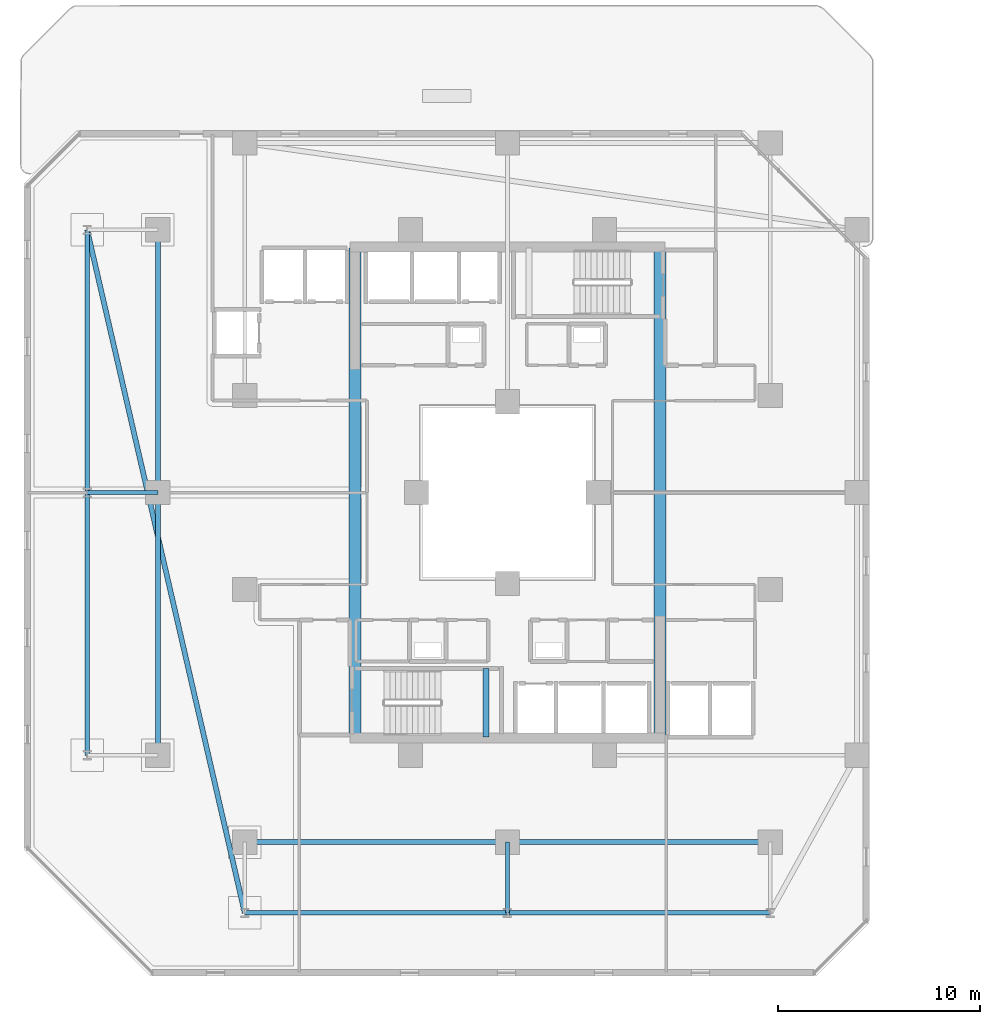
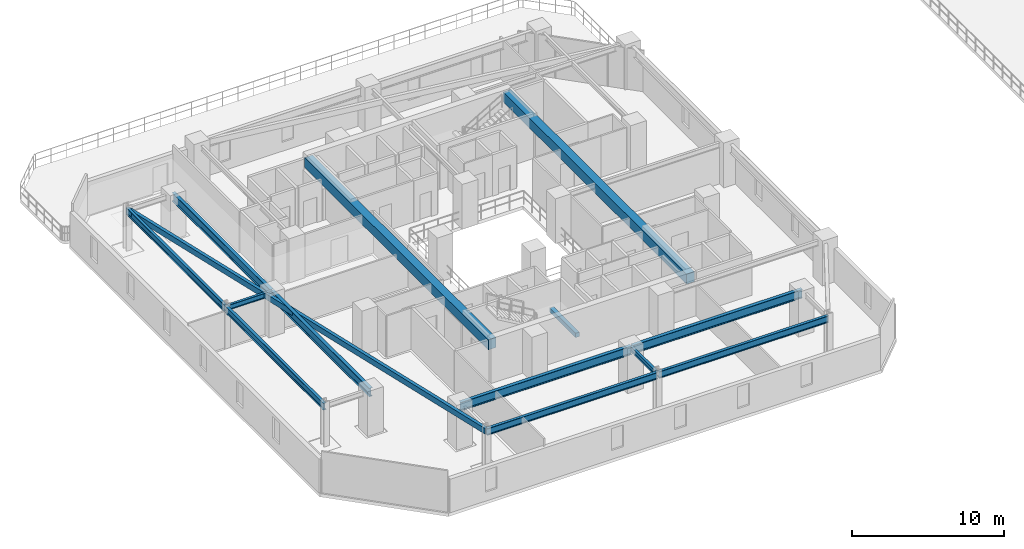
# One storey, part 4 of 31: 14 beams.
"""IFC4 building model written with IfcOpenShell, lengths in metres."""

from ifc_helpers import new_model, si_unit, direction, frame, origin, origin_2d, place, context, subcontext, project, spatial, rectangle, hollow_rectangle, i_section, extrude, material, material_profile, profile_set, type_object, element, save


model = new_model("IFC4")

# Units and contexts
model_context = context("Model", 3, precision=1e-05, world=origin(), true_north=direction((0.0, 1.0)))
body_context = subcontext(model_context, "Body", "Model", "MODEL_VIEW")
ifc_project = project(units=[si_unit("LENGTHUNIT", "METRE"), si_unit("AREAUNIT", "SQUARE_METRE"), si_unit("VOLUMEUNIT", "CUBIC_METRE"), si_unit("PLANEANGLEUNIT", "RADIAN"), si_unit("MASSUNIT", "GRAM", prefix="KILO")], contexts=[model_context])

# Site, building, storey
site_placement = place(None, origin())
site = spatial("IfcSite", under=ifc_project, at=site_placement, CompositionType="ELEMENT")
building_placement = place(site_placement, origin())
building = spatial("IfcBuilding", under=site, at=building_placement, Name="Thornwick Lancets Civic Towers", CompositionType="ELEMENT")
storey_placement = place(building_placement, frame((0.0, 0.0, 119.699951171875)))
storey = spatial("IfcBuildingStorey", under=building, at=storey_placement, Name="L31", CompositionType="ELEMENT", Elevation=119.699951171875)

# Beams
ifc_material_1 = material(Name="Concrete C60/75", Category="concrete")
ifc_material_profile_1 = material_profile(ifc_material_1, rectangle(XDim=0.60009765625, YDim=0.800048828125, at=origin_2d()), Name="RC 600x800")
ifc_profile_set_1 = profile_set([ifc_material_profile_1], Name="Concrete C60/75")
beam_type_1 = type_object("IfcBeamType", Name="BM_COUP_RC800", PredefinedType="BEAM", material=ifc_profile_set_1)
for number, where, z_axis, x_axis, name in (
    (1, (33.050048828125, 14.89990234375, 2.93994140625), (0.0, 1.0, 0.0), (-1.0, 0.0, 0.0), "CB-L31-A1"),
    (2, (17.949951171875, 14.89990234375, 2.93994140625), (0.0, 1.0, 0.0), (-1.0, 0.0, 0.0), "CB-L31-A2"),
):
    element("IfcBeam", number, at=place(storey_placement, frame(where, z_axis=z_axis, x_axis=x_axis)), inside=storey, type_object=beam_type_1, Name=name, PredefinedType="BEAM", context=body_context, shape_type="SweptSolid", body=[
        extrude(rectangle(XDim=0.60009765625, YDim=0.800048828125, at=origin_2d()), origin(), (0.0, 0.0, 1.0), 24.2001953125),
    ])
ifc_material_2 = material(Name="Steel S355JR", Category="steel")
ifc_material_profile_2 = material_profile(ifc_material_2, i_section(OverallWidth=0.2119140625, OverallDepth=0.54443359375, WebThickness=0.0126953125, FlangeThickness=0.021240234375, FilletRadius=0.0126953125, at=origin_2d()), Name="UKB 533x210x122")
ifc_profile_set_2 = profile_set([ifc_material_profile_2], Name="Steel S355JR")
beam_type_2 = type_object("IfcBeamType", Name="BM_EDGE_533_122", PredefinedType="SPANDREL", material=ifc_profile_set_2)
beam_1_placement = place(storey_placement, frame((12.5, 6.199951171875, 3.06787109375), z_axis=(1.0, 0.0, 0.0), x_axis=(0.0, 1.0, 0.0)))
element("IfcBeam", 3, at=beam_1_placement, inside=storey, type_object=beam_type_2, Name="BM-EDGE-L31-A-S0-1", PredefinedType="SPANDREL", context=body_context, shape_type="SweptSolid", body=[
    extrude(i_section(OverallWidth=0.2119140625, OverallDepth=0.54443359375, WebThickness=0.0126953125, FlangeThickness=0.021240234375, FilletRadius=0.0126953125, at=origin_2d()), origin(), (0.0, 0.0, 1.0), 13.0),
])
beam_2_placement = place(storey_placement, frame((25.580078125, 6.199951171875, 3.06787109375), z_axis=(1.0, 0.0, 0.0), x_axis=(0.0, 1.0, 0.0)))
element("IfcBeam", 4, at=beam_2_placement, inside=storey, type_object=beam_type_2, Name="BM-EDGE-L31-A-S0-2", PredefinedType="SPANDREL", context=body_context, shape_type="SweptSolid", body=[
    extrude(i_section(OverallWidth=0.2119140625, OverallDepth=0.54443359375, WebThickness=0.0126953125, FlangeThickness=0.021240234375, FilletRadius=0.0126953125, at=origin_2d()), origin(), (0.0, 0.0, 1.0), 12.919921875),
])
beam_3_placement = place(storey_placement, frame((4.699951171875, 14.0, 3.06787109375), z_axis=(0.0, 1.0, 0.0), x_axis=(-1.0, 0.0, 0.0)))
element("IfcBeam", 5, at=beam_3_placement, inside=storey, type_object=beam_type_2, Name="BM-EDGE-L31-A-S3-1", PredefinedType="SPANDREL", context=body_context, shape_type="SweptSolid", body=[
    extrude(i_section(OverallWidth=0.2119140625, OverallDepth=0.54443359375, WebThickness=0.0126953125, FlangeThickness=0.021240234375, FilletRadius=0.0126953125, at=origin_2d()), origin(), (0.0, 0.0, 1.0), 13.0),
])
beam_4_placement = place(storey_placement, frame((4.699951171875, 27.080078125, 3.06787109375), z_axis=(0.0, 1.0, 0.0), x_axis=(-1.0, 0.0, 0.0)))
element("IfcBeam", 6, at=beam_4_placement, inside=storey, type_object=beam_type_2, Name="BM-EDGE-L31-A-S3-2", PredefinedType="SPANDREL", context=body_context, shape_type="SweptSolid", body=[
    extrude(i_section(OverallWidth=0.2119140625, OverallDepth=0.54443359375, WebThickness=0.0126953125, FlangeThickness=0.021240234375, FilletRadius=0.0126953125, at=origin_2d()), origin(), (0.0, 0.0, 1.0), 12.919921875),
])
ifc_material_profile_3 = material_profile(ifc_material_2, i_section(OverallWidth=0.255859375, OverallDepth=0.69287109375, WebThickness=0.014404296875, FlangeThickness=0.023681640625, FilletRadius=0.01513671875, at=origin_2d()), Name="UKB 686x254x170")
ifc_profile_set_3 = profile_set([ifc_material_profile_3], Name="Steel S355JR")
beam_type_3 = type_object("IfcBeamType", Name="BM_GIRD_686_170", PredefinedType="BEAM", material=ifc_profile_set_3)
beam_5_placement = place(storey_placement, frame((12.5, 9.699951171875, 2.99365234375), z_axis=(1.0, 0.0, 0.0), x_axis=(0.0, 1.0, 0.0)))
element("IfcBeam", 7, at=beam_5_placement, inside=storey, type_object=beam_type_3, Name="BM-SPINE-L31-A-0-1", PredefinedType="BEAM", context=body_context, shape_type="SweptSolid", body=[
    extrude(i_section(OverallWidth=0.255859375, OverallDepth=0.69287109375, WebThickness=0.014404296875, FlangeThickness=0.023681640625, FilletRadius=0.01513671875, at=origin_2d()), origin(), (0.0, 0.0, 1.0), 13.0),
])
beam_6_placement = place(storey_placement, frame((25.580078125, 9.699951171875, 2.99365234375), z_axis=(1.0, 0.0, 0.0), x_axis=(0.0, 1.0, 0.0)))
element("IfcBeam", 8, at=beam_6_placement, inside=storey, type_object=beam_type_3, Name="BM-SPINE-L31-A-1-2", PredefinedType="BEAM", context=body_context, shape_type="SweptSolid", body=[
    extrude(i_section(OverallWidth=0.255859375, OverallDepth=0.69287109375, WebThickness=0.014404296875, FlangeThickness=0.023681640625, FilletRadius=0.01513671875, at=origin_2d()), origin(), (0.0, 0.0, 1.0), 12.919921875),
])
beam_7_placement = place(storey_placement, frame((8.199951171875, 14.0, 2.99365234375), z_axis=(0.0, 1.0, 0.0), x_axis=(-1.0, 0.0, 0.0)))
element("IfcBeam", 9, at=beam_7_placement, inside=storey, type_object=beam_type_3, Name="BM-SPINE-L31-A-9-10", PredefinedType="BEAM", context=body_context, shape_type="SweptSolid", body=[
    extrude(i_section(OverallWidth=0.255859375, OverallDepth=0.69287109375, WebThickness=0.014404296875, FlangeThickness=0.023681640625, FilletRadius=0.01513671875, at=origin_2d()), origin(), (0.0, 0.0, 1.0), 13.0),
])
beam_8_placement = place(storey_placement, frame((8.199951171875, 27.080078125, 2.99365234375), z_axis=(0.0, 1.0, 0.0), x_axis=(-1.0, 0.0, 0.0)))
element("IfcBeam", 10, at=beam_8_placement, inside=storey, type_object=beam_type_3, Name="BM-SPINE-L31-A-10-11", PredefinedType="BEAM", context=body_context, shape_type="SweptSolid", body=[
    extrude(i_section(OverallWidth=0.255859375, OverallDepth=0.69287109375, WebThickness=0.014404296875, FlangeThickness=0.023681640625, FilletRadius=0.01513671875, at=origin_2d()), origin(), (0.0, 0.0, 1.0), 12.919921875),
])
ifc_material_profile_4 = material_profile(ifc_material_2, i_section(OverallWidth=0.179443359375, OverallDepth=0.412841796875, WebThickness=0.009521484375, FlangeThickness=0.01611328125, FilletRadius=0.01025390625, at=origin_2d()), Name="UKB 406x178x74")
ifc_profile_set_4 = profile_set([ifc_material_profile_4], Name="Steel S355JR")
beam_type_4 = type_object("IfcBeamType", Name="BM_JOIST_406_74", PredefinedType="JOIST", material=ifc_profile_set_4)
for number, where, z_axis, x_axis, name in (
    (11, (25.5, 9.699951171875, 3.133544921875), (0.0, -1.0, 0.0), (1.0, 0.0, 0.0), "BM-RAD-L31-A02"),
    (12, (8.199951171875, 27.0, 3.133544921875), (-1.0, 0.0, 0.0), (0.0, -1.0, 0.0), "BM-RAD-L31-A11"),
):
    element("IfcBeam", number, at=place(storey_placement, frame(where, z_axis=z_axis, x_axis=x_axis)), inside=storey, type_object=beam_type_4, Name=name, PredefinedType="JOIST", context=body_context, shape_type="SweptSolid", body=[
        extrude(i_section(OverallWidth=0.179443359375, OverallDepth=0.412841796875, WebThickness=0.009521484375, FlangeThickness=0.01611328125, FilletRadius=0.01025390625, at=origin_2d()), origin(), (0.0, 0.0, 1.0), 3.5),
    ])
ifc_material_profile_5 = material_profile(ifc_material_2, hollow_rectangle(XDim=0.25, YDim=0.449951171875, WallThickness=0.01611328125, at=origin_2d()), Name="RHS 450x250x16")
ifc_profile_set_5 = profile_set([ifc_material_profile_5], Name="Steel S355JR")
beam_type_5 = type_object("IfcBeamType", Name="BM_RING_RHS450", PredefinedType="BEAM", material=ifc_profile_set_5)
beam_9_placement = place(storey_placement, frame((4.699951171875, 40.0, 3.114990234375), z_axis=(0.224860534737, -0.974390958454, 0.0), x_axis=(0.974390958454, 0.224860534737, 0.0)))
element("IfcBeam", 13, at=beam_9_placement, inside=storey, type_object=beam_type_5, Name="BM-CHAMF-L31-A-C3", PredefinedType="BEAM", context=body_context, shape_type="SweptSolid", body=[
    extrude(hollow_rectangle(XDim=0.25, YDim=0.449951171875, WallThickness=0.01611328125, at=origin_2d()), origin(), (0.0, 0.0, 1.0), 34.6884765625),
])
ifc_material_3 = material(Name="Concrete C40/50", Category="concrete")
ifc_material_profile_6 = material_profile(ifc_material_3, rectangle(XDim=0.300048828125, YDim=0.35009765625, at=origin_2d()), Name="RC 300x350")
ifc_profile_set_6 = profile_set([ifc_material_profile_6], Name="Concrete C40/50")
beam_type_6 = type_object("IfcBeamType", Name="BM_STAIR_LDG", PredefinedType="BEAM", material=ifc_profile_set_6)
beam_10_placement = place(storey_placement, frame((24.43505859375, 14.89990234375, 1.3779296875), z_axis=(0.0, 1.0, 0.0), x_axis=(-1.0, 0.0, 0.0)))
element("IfcBeam", 14, at=beam_10_placement, inside=storey, type_object=beam_type_6, Name="L31 ST-A1 Landing Support Beam 1", PredefinedType="BEAM", context=body_context, shape_type="SweptSolid", body=[
    extrude(rectangle(XDim=0.300048828125, YDim=0.35009765625, at=origin_2d()), origin(), (0.0, 0.0, 1.0), 3.400146484375),
])

save(model, "model.ifc")
